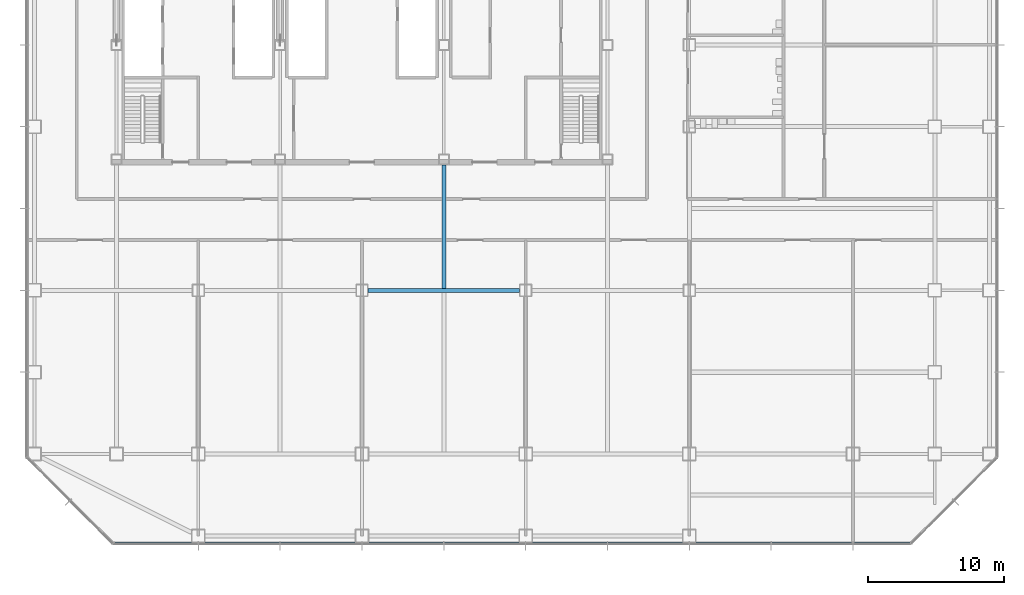
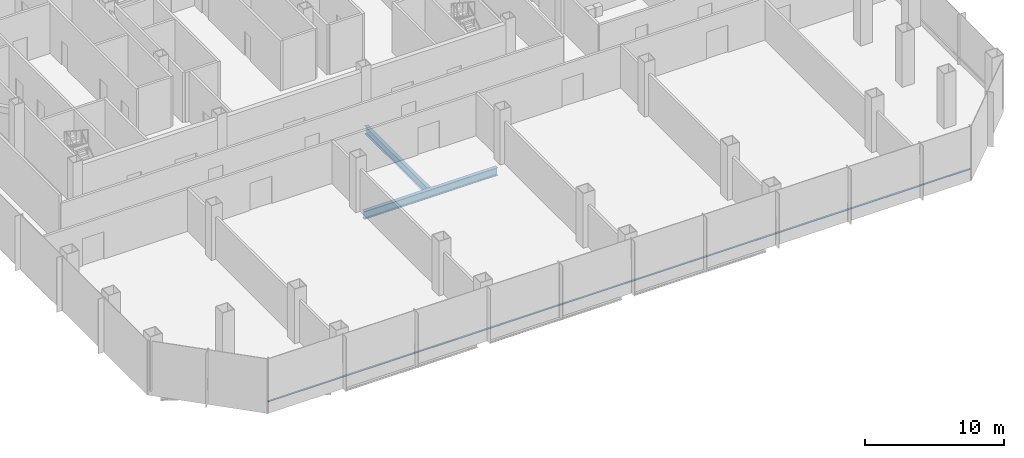
# One storey, part 7 of 33: 2 beams, 1 member, 1 element without a shape of its own.
"""IFC4 building model written with IfcOpenShell, lengths in metres."""

from ifc_helpers import new_model, si_unit, direction, frame, origin, origin_2d, place, context, subcontext, project, spatial, rectangle, i_section, extrude, material, material_profile, profile_set, type_object, element, aggregate, save


model = new_model("IFC4")

# Units and contexts
model_context = context("Model", 3, precision=1e-05, world=origin(), true_north=direction((0.0, 1.0)))
body_context = subcontext(model_context, "Body", "Model", "MODEL_VIEW")
ifc_project = project(units=[si_unit("LENGTHUNIT", "METRE"), si_unit("AREAUNIT", "SQUARE_METRE"), si_unit("VOLUMEUNIT", "CUBIC_METRE"), si_unit("PLANEANGLEUNIT", "RADIAN"), si_unit("MASSUNIT", "GRAM", prefix="KILO")], contexts=[model_context])

# Site, building, storey
site_placement = place(None, origin())
site = spatial("IfcSite", under=ifc_project, at=site_placement, CompositionType="ELEMENT")
building_placement = place(site_placement, origin())
building = spatial("IfcBuilding", under=site, at=building_placement, Name="Sorahane Residences", CompositionType="ELEMENT")
storey_placement = place(building_placement, frame((0.0, 0.0, 25.199951171875)))
storey = spatial("IfcBuildingStorey", under=building, at=storey_placement, Name="L03", CompositionType="ELEMENT", Elevation=25.199951171875)

# Curtain wall, member
ifc_material_1 = material(Name="Dark low-e glass and black anodised aluminium", Category="aluminium")
curtain_wall_type = type_object("IfcCurtainWallType", Name="Curtain wall CW-3 Podium unitised wall", PredefinedType="NOTDEFINED", material=ifc_material_1)
curtain_wall_placement = place(storey_placement, origin())
curtain_wall = element("IfcCurtainWall", 1, at=curtain_wall_placement, inside=storey, type_object=curtain_wall_type, Name="CW-3 curtain wall L03 S1", PredefinedType="NOTDEFINED")
ifc_material_2 = material(Name="Black anodised aluminium", Category="aluminium")
ifc_material_profile_1 = material_profile(ifc_material_2, rectangle(XDim=0.10009765625, YDim=0.06005859375, at=origin_2d()), Name="Curtain wall transom CW-3 black anodised aluminium 60x100")
ifc_profile_set_1 = profile_set([ifc_material_profile_1], Name="Black anodised aluminium")
member_type = type_object("IfcMemberType", Name="Curtain wall transom CW-3 black anodised aluminium 60x100", PredefinedType="USERDEFINED", material=ifc_profile_set_1)
member_placement = place(storey_placement, frame((5.801513671875, -6.530029296875, 0.60009765625), z_axis=(1.0, 0.0, 0.0), x_axis=(0.0, 1.0, 0.0)))
member = element("IfcMember", 2, at=member_placement, type_object=member_type, Name="CW-3 transom L03 S1", ObjectType="TRANSOM", PredefinedType="USERDEFINED", context=body_context, shape_type="SweptSolid", body=[
    extrude(rectangle(XDim=0.10009765625, YDim=0.06005859375, at=origin_2d()), origin(), (0.0, 0.0, 1.0), 58.39697265625),
])
aggregate(curtain_wall, [member])

# Beams
ifc_material_3 = material(Name="Steel Q355B", Category="steel")
ifc_material_profile_2 = material_profile(ifc_material_3, i_section(OverallWidth=0.300048828125, OverallDepth=0.699951171875, WebThickness=0.012939453125, FlangeThickness=0.02392578125, FilletRadius=0.028076171875, at=origin_2d()), Name="HN 700x300x13x24")
ifc_profile_set_2 = profile_set([ifc_material_profile_2], Name="Steel Q355B")
beam_type = type_object("IfcBeamType", Name="Steel floor beam HN 700x300x13x24 Q355B", PredefinedType="BEAM", material=ifc_profile_set_2)
beam_1_placement = place(storey_placement, frame((24.449951171875, 12.0, -0.75), z_axis=(1.0, 0.0, 0.0), x_axis=(0.0, 1.0, 0.0)))
element("IfcBeam", 3, at=beam_1_placement, inside=storey, type_object=beam_type, Name="Beam L03 010", PredefinedType="BEAM", context=body_context, shape_type="SweptSolid", body=[
    extrude(i_section(OverallWidth=0.300048828125, OverallDepth=0.699951171875, WebThickness=0.012939453125, FlangeThickness=0.02392578125, FilletRadius=0.028076171875, at=origin_2d()), origin(), (0.0, 0.0, 1.0), 11.10009765625),
])
beam_2_placement = place(storey_placement, frame((30.0, 12.14990234375, -0.75), z_axis=(0.0, 1.0, 0.0), x_axis=(-1.0, 0.0, 0.0)))
element("IfcBeam", 4, at=beam_2_placement, inside=storey, type_object=beam_type, Name="Beam L03 048", PredefinedType="BEAM", context=body_context, shape_type="SweptSolid", body=[
    extrude(i_section(OverallWidth=0.300048828125, OverallDepth=0.699951171875, WebThickness=0.012939453125, FlangeThickness=0.02392578125, FilletRadius=0.028076171875, at=origin_2d()), origin(), (0.0, 0.0, 1.0), 9.050048828125),
])

save(model, "model.ifc")
